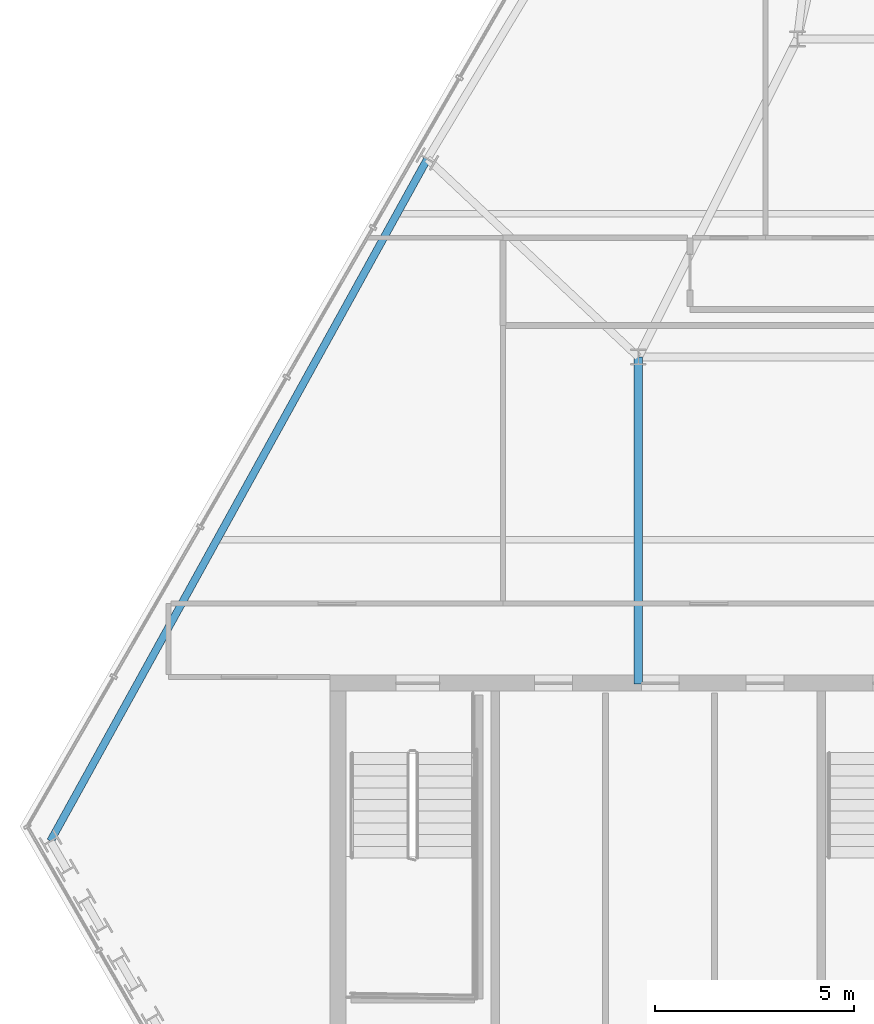
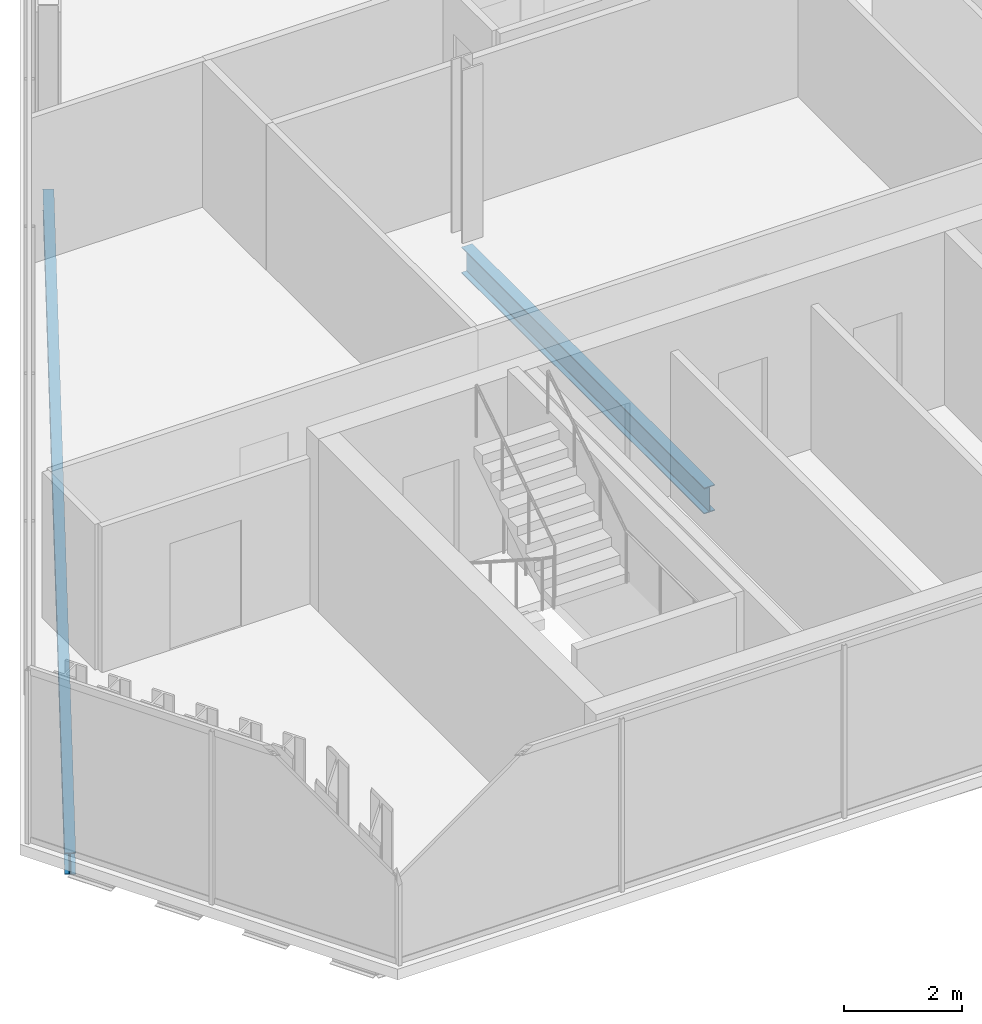
# One storey, part 5 of 29: 2 beams.
"""IFC4 building model written with IfcOpenShell, lengths in metres."""

from ifc_helpers import new_model, si_unit, direction, frame, origin, origin_2d, place, context, subcontext, project, spatial, i_section, extrude, material, material_profile, profile_set, type_object, element, save


model = new_model("IFC4")

# Units and contexts
model_context = context("Model", 3, precision=1e-05, world=origin(), true_north=direction((0.0, 1.0)))
body_context = subcontext(model_context, "Body", "Model", "MODEL_VIEW")
ifc_project = project(units=[si_unit("LENGTHUNIT", "METRE"), si_unit("AREAUNIT", "SQUARE_METRE"), si_unit("VOLUMEUNIT", "CUBIC_METRE"), si_unit("PLANEANGLEUNIT", "RADIAN"), si_unit("MASSUNIT", "GRAM", prefix="KILO")], contexts=[model_context])

# Site, building, storey
site_placement = place(None, origin())
site = spatial("IfcSite", under=ifc_project, at=site_placement, CompositionType="ELEMENT")
building_placement = place(site_placement, origin())
building = spatial("IfcBuilding", under=site, at=building_placement, Name="Ndaravel Arena Tower", CompositionType="ELEMENT")
storey_placement = place(building_placement, frame((0.0, 0.0, 233.199951171875)))
storey = spatial("IfcBuildingStorey", under=building, at=storey_placement, Name="L56", CompositionType="ELEMENT", Elevation=233.199951171875)

# Beams
ifc_material_1 = material(Name="Steel S355", Category="steel")
ifc_material_profile_1 = material_profile(ifc_material_1, i_section(OverallWidth=0.210693359375, OverallDepth=0.53955078125, WebThickness=0.01171875, FlangeThickness=0.018798828125, FilletRadius=0.0126953125, at=origin_2d()), Name="UB 533x210x109")
ifc_profile_set_1 = profile_set([ifc_material_profile_1], Name="Steel S355")
beam_type_1 = type_object("IfcBeamType", Name="BM-GIRD-UB533", PredefinedType="BEAM", material=ifc_profile_set_1)
beam_1_placement = place(storey_placement, frame((34.199951171875, 14.97998046875, -0.48974609375), z_axis=(0.0, 1.0, 0.0), x_axis=(-1.0, 0.0, 0.0)))
element("IfcBeam", 1, at=beam_1_placement, inside=storey, type_object=beam_type_1, Name="L56 Spine Link Girder SLG-01", PredefinedType="BEAM", context=body_context, shape_type="SweptSolid", body=[
    extrude(i_section(OverallWidth=0.210693359375, OverallDepth=0.53955078125, WebThickness=0.01171875, FlangeThickness=0.018798828125, FilletRadius=0.0126953125, at=origin_2d()), origin(), (0.0, 0.0, 1.0), 8.219970703125),
])
ifc_material_2 = material(Name="Steel S355", Category="steel")
ifc_material_profile_2 = material_profile(ifc_material_2, i_section(OverallWidth=0.18994140625, OverallDepth=0.449951171875, WebThickness=0.009521484375, FlangeThickness=0.0146484375, FilletRadius=0.02099609375, at=origin_2d()), Name="IPE 450")
ifc_profile_set_2 = profile_set([ifc_material_profile_2], Name="Steel S355")
beam_type_2 = type_object("IfcBeamType", Name="BM-SPAN-IPE450", PredefinedType="SPANDREL", material=ifc_profile_set_2)
beam_2_placement = place(storey_placement, frame((28.89306640625, 28.181884765625, -0.445068359375), z_axis=(-0.483575124361, -0.875302861357, 0.0), x_axis=(0.875302861357, -0.483575124361, 0.0)))
element("IfcBeam", 2, at=beam_2_placement, inside=storey, type_object=beam_type_2, Name="L56 Perimeter Spandrel Beam SP-19", PredefinedType="SPANDREL", context=body_context, shape_type="SweptSolid", body=[
    extrude(i_section(OverallWidth=0.18994140625, OverallDepth=0.449951171875, WebThickness=0.009521484375, FlangeThickness=0.0146484375, FilletRadius=0.02099609375, at=origin_2d()), origin(), (0.0, 0.0, 1.0), 19.600830078125),
])

save(model, "model.ifc")
